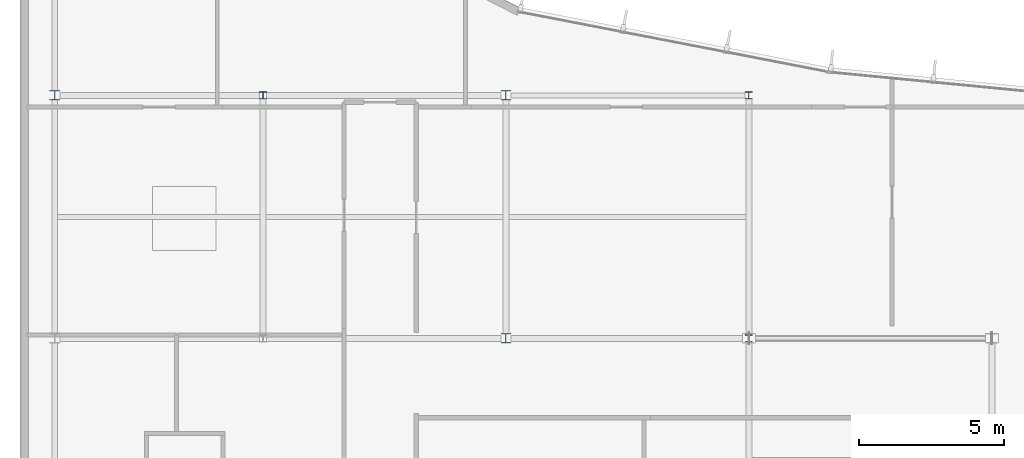
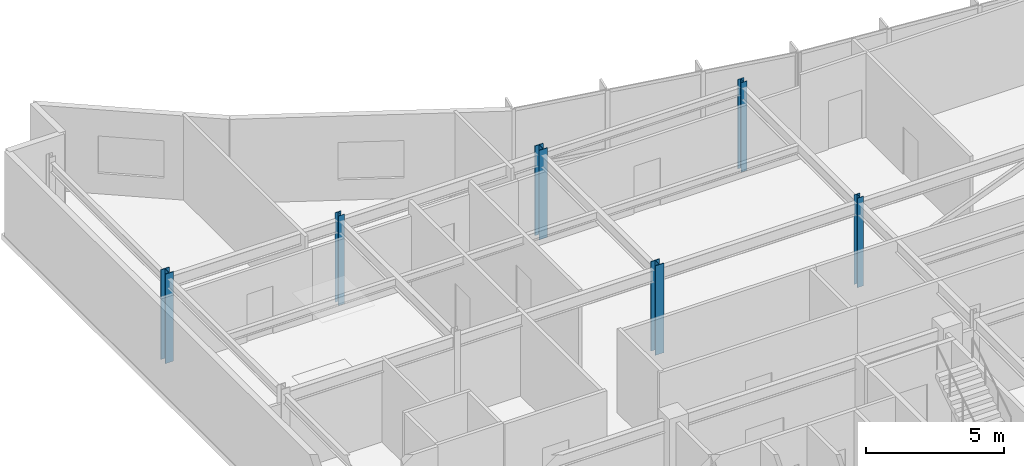
# One storey, part 2 of 16: 6 columns.
"""IFC4 building model written with IfcOpenShell, lengths in metres."""

from ifc_helpers import new_model, si_unit, direction, frame, origin, origin_2d, place, context, subcontext, project, spatial, i_section, extrude, material, material_profile, profile_set, type_object, element, save


model = new_model("IFC4")

# Units and contexts
model_context = context("Model", 3, precision=1e-05, world=origin(), true_north=direction((0.0, 1.0)))
body_context = subcontext(model_context, "Body", "Model", "MODEL_VIEW")
ifc_project = project(units=[si_unit("LENGTHUNIT", "METRE"), si_unit("AREAUNIT", "SQUARE_METRE"), si_unit("VOLUMEUNIT", "CUBIC_METRE"), si_unit("PLANEANGLEUNIT", "RADIAN"), si_unit("MASSUNIT", "GRAM", prefix="KILO")], contexts=[model_context])

# Site, building, storey
site_placement = place(None, origin())
site = spatial("IfcSite", under=ifc_project, at=site_placement, CompositionType="ELEMENT")
building_placement = place(site_placement, origin())
building = spatial("IfcBuilding", under=site, at=building_placement, Name="Varnakote Quay Hospital", CompositionType="ELEMENT")
storey_placement = place(building_placement, frame((0.0, 0.0, 272.35009765625)))
storey = spatial("IfcBuildingStorey", under=building, at=storey_placement, Name="L67", CompositionType="ELEMENT", Elevation=272.35009765625)

# Columns
ifc_material_1 = material(Name="Structural steel AS/NZS 3679.1 Grade 350 L0 (fy 340 MPa)", Category="steel")
ifc_material_profile_1 = material_profile(ifc_material_1, i_section(OverallWidth=0.25390625, OverallDepth=0.25390625, WebThickness=0.008544921875, FlangeThickness=0.01416015625, FilletRadius=0.0126953125, at=origin_2d()), Name="250UC72.9")
ifc_profile_set_1 = profile_set([ifc_material_profile_1], Name="Structural steel AS/NZS 3679.1 Grade 350 L0 (fy 340 MPa)")
column_type_1 = type_object("IfcColumnType", Name="COL-STL-250UC72-9", PredefinedType="COLUMN", material=ifc_profile_set_1)
for number, where, z_axis, x_axis, name in (
    (1, (25.199951171875, 20.39990234375, 0.0), (0.0, 0.0, 1.0), (1.0, 0.0, 0.0), "L67 Structural Column C-25-20"),
    (2, (8.39990234375, 28.800048828125, 0.0), (0.0, 0.0, 1.0), (1.0, 0.0, 0.0), "L67 Structural Column C-8-29"),
    (3, (25.199951171875, 28.800048828125, 0.0), (0.0, 0.0, 1.0), (1.0, 0.0, 0.0), "L67 Structural Column C-25-29"),
):
    element("IfcColumn", number, at=place(storey_placement, frame(where, z_axis=z_axis, x_axis=x_axis)), inside=storey, type_object=column_type_1, Name=name, PredefinedType="COLUMN", context=body_context, shape_type="SweptSolid", body=[
        extrude(i_section(OverallWidth=0.25390625, OverallDepth=0.25390625, WebThickness=0.008544921875, FlangeThickness=0.01416015625, FilletRadius=0.0126953125, at=origin_2d()), origin(), (0.0, 0.0, 1.0), 3.949951171875),
    ])
ifc_material_2 = material(Name="Structural steel AS/NZS 3678 Grade 350 (fy 340 MPa)", Category="steel")
ifc_material_profile_2 = material_profile(ifc_material_2, i_section(OverallWidth=0.35009765625, OverallDepth=0.340087890625, WebThickness=0.01611328125, FlangeThickness=0.028076171875, at=origin_2d()), Name="350WC197")
ifc_profile_set_2 = profile_set([ifc_material_profile_2], Name="Structural steel AS/NZS 3678 Grade 350 (fy 340 MPa)")
column_type_2 = type_object("IfcColumnType", Name="COL-STL-350WC197", PredefinedType="COLUMN", material=ifc_profile_set_2)
for number, where, z_axis, x_axis, name in (
    (4, (16.800048828125, 20.39990234375, 0.0), (0.0, 0.0, 1.0), (1.0, 0.0, 0.0), "L67 Structural Column C-17-20"),
    (5, (1.199951171875, 28.800048828125, 0.0), (0.0, 0.0, 1.0), (1.0, 0.0, 0.0), "L67 Structural Column C-1-29"),
    (6, (16.800048828125, 28.800048828125, 0.0), (0.0, 0.0, 1.0), (1.0, 0.0, 0.0), "L67 Structural Column C-17-29"),
):
    element("IfcColumn", number, at=place(storey_placement, frame(where, z_axis=z_axis, x_axis=x_axis)), inside=storey, type_object=column_type_2, Name=name, PredefinedType="COLUMN", context=body_context, shape_type="SweptSolid", body=[
        extrude(i_section(OverallWidth=0.35009765625, OverallDepth=0.340087890625, WebThickness=0.01611328125, FlangeThickness=0.028076171875, at=origin_2d()), origin(), (0.0, 0.0, 1.0), 3.949951171875),
    ])

save(model, "model.ifc")
